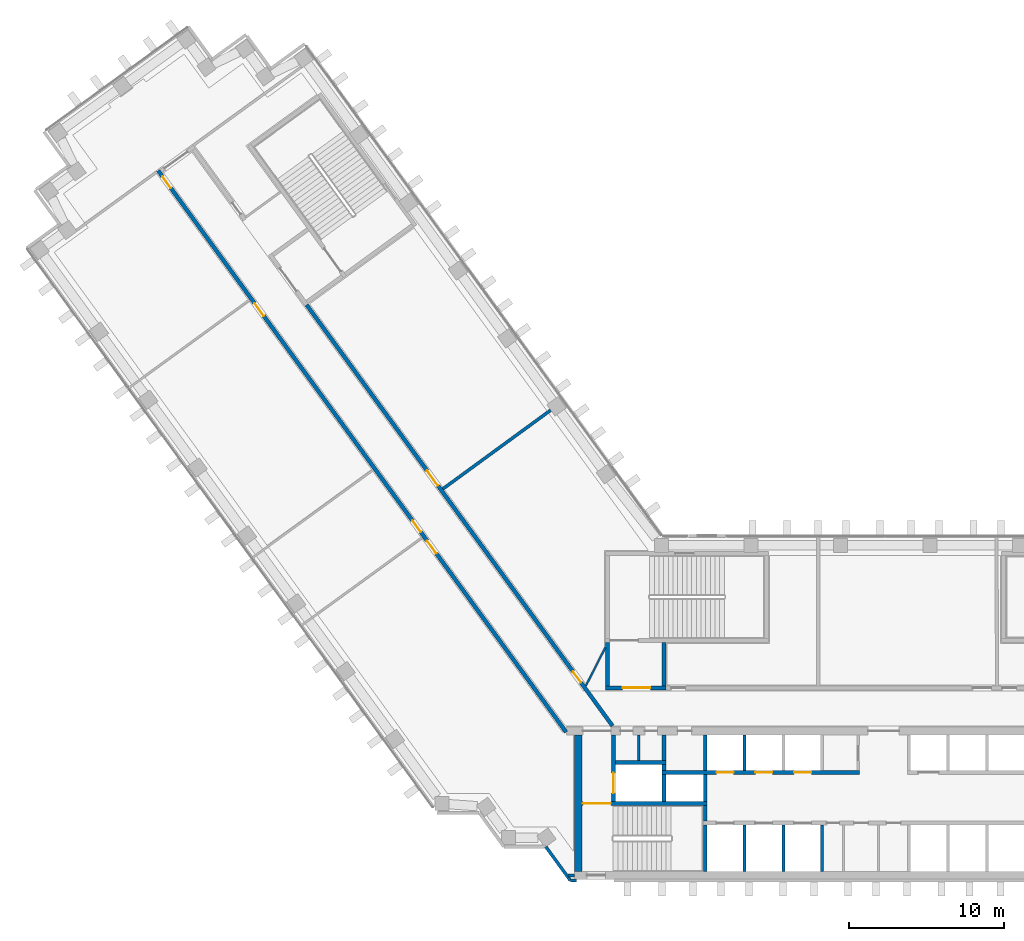
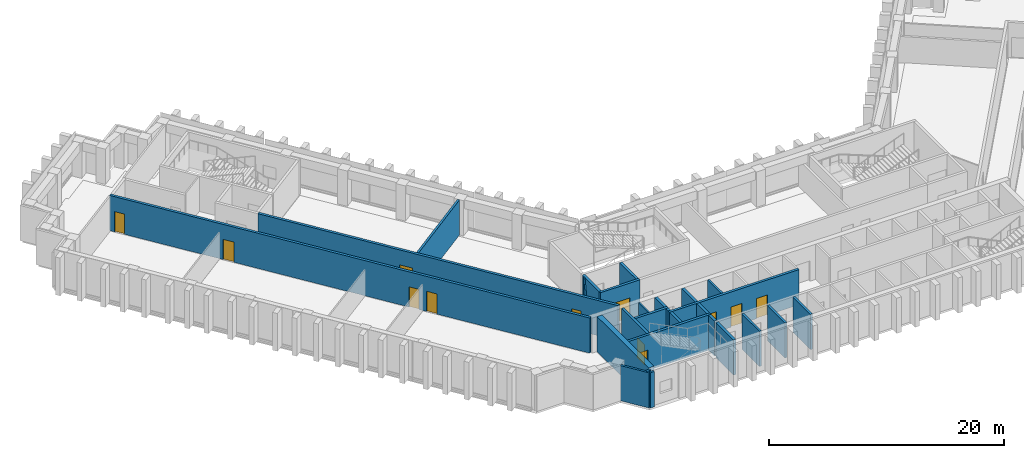
# One storey, part 7 of 15: 27 walls, 12 doors, 12 openings.
"""IFC4 building model written with IfcOpenShell, lengths in metres."""

from ifc_helpers import new_model, si_unit, direction, frame, frame_2d, origin, place, context, subcontext, project, spatial, rectangle, extrude, material, layer, layer_set, type_object, element, fill, save


model = new_model("IFC4")

# Units and contexts
model_context = context("Model", 3, precision=1e-05, world=origin(), true_north=direction((0.0, 1.0)))
body_context = subcontext(model_context, "Body", "Model", "MODEL_VIEW")
ifc_project = project(units=[si_unit("LENGTHUNIT", "METRE"), si_unit("AREAUNIT", "SQUARE_METRE"), si_unit("VOLUMEUNIT", "CUBIC_METRE"), si_unit("PLANEANGLEUNIT", "RADIAN"), si_unit("MASSUNIT", "GRAM", prefix="KILO")], contexts=[model_context])

# Site, building, storey
site_placement = place(None, origin())
site = spatial("IfcSite", under=ifc_project, at=site_placement, CompositionType="ELEMENT")
building_placement = place(site_placement, origin())
building = spatial("IfcBuilding", under=site, at=building_placement, Name="Quipu Civic Tower", CompositionType="ELEMENT")
storey_placement = place(building_placement, frame((0.0, 0.0, 97.0)))
storey = spatial("IfcBuildingStorey", under=building, at=storey_placement, Name="L22", CompositionType="ELEMENT", Elevation=97.0)

# Walls
ifc_material_1 = material(Name="Fired clay blockwork", Category="masonry")
ifc_layer_1 = layer(ifc_material_1, 0.199951171875)
ifc_layer_set_1 = layer_set([ifc_layer_1], Name="Fired clay blockwork")
wall_type_1 = type_object("IfcWallType", Name="Blockwork wall 200", PredefinedType="SOLIDWALL", material=ifc_layer_set_1)
wall_1_placement = place(storey_placement, frame((-28.468994140625, 14.1240234375, 0.0), z_axis=(0.0, 0.0, 1.0), x_axis=(0.807597163234, 0.589734535139, 0.0)))
element("IfcWall", 1, at=wall_1_placement, inside=storey, type_object=wall_type_1, Name="Partition P06", PredefinedType="SOLIDWALL", context=body_context, shape_type="SweptSolid", body=[
    extrude(rectangle(XDim=8.59521484375, YDim=0.199951171875, at=frame_2d((4.297607421875, 0.0))), origin(), (0.0, 0.0, 1.0), 3.64990234375),
])
ifc_material_2 = material(Name="Concrete C70/85", Category="concrete")
ifc_layer_2 = layer(ifc_material_2, 0.25)
ifc_layer_set_2 = layer_set([ifc_layer_2], Name="Concrete C70/85")
wall_type_2 = type_object("IfcWallType", Name="Core wall 250", PredefinedType="SHEAR", material=ifc_layer_set_2)
wall_2_placement = place(storey_placement, frame((-11.574951171875, -10.5, 0.0), z_axis=(0.0, 0.0, 1.0), x_axis=(0.0, 1.0, 0.0)))
element("IfcWall", 2, at=wall_2_placement, inside=storey, type_object=wall_type_2, Name="Core wall", PredefinedType="SHEAR", context=body_context, shape_type="SweptSolid", body=[
    extrude(rectangle(XDim=3.0, YDim=0.25, at=frame_2d((1.5, 0.0))), origin(), (0.0, 0.0, 1.0), 3.64990234375),
])
wall_3_placement = place(storey_placement, frame((-11.574951171875, -7.25, 0.0), z_axis=(0.0, 0.0, 1.0), x_axis=(0.0, 1.0, 0.0)))
element("IfcWall", 3, at=wall_3_placement, inside=storey, type_object=wall_type_2, Name="Core wall", PredefinedType="SHEAR", context=body_context, shape_type="SweptSolid", body=[
    extrude(rectangle(XDim=1.0, YDim=0.25, at=frame_2d((0.5, 0.0))), origin(), (0.0, 0.0, 1.0), 3.64990234375),
])

# Wall, opening, door
wall_4_placement = place(storey_placement, frame((-11.449951171875, -6.125, 0.0), z_axis=(0.0, 0.0, 1.0), x_axis=(-1.0, 0.0, 0.0)))
wall_4 = element("IfcWall", 4, at=wall_4_placement, inside=storey, type_object=wall_type_2, Name="Core wall", PredefinedType="SHEAR", context=body_context, shape_type="SweptSolid", body=[
    extrude(rectangle(XDim=8.050048828125, YDim=0.25, at=frame_2d((4.02490234375, 0.0))), origin(), (0.0, 0.0, 1.0), 3.64990234375),
])
opening_1_placement = place(wall_4_placement, frame((6.199951171875, 0.0, 0.0)))
opening_1 = element("IfcOpeningElement", 5, at=opening_1_placement, cuts=wall_4, Name="Opening CD-04", PredefinedType="OPENING", context=body_context, shape_type="SweptSolid", body=[
    extrude(rectangle(XDim=1.800048828125, YDim=2.10009765625, at=frame_2d((0.89990234375, 1.050048828125))), frame((0.0, 0.135009765625, 0.0), z_axis=(0.0, -1.0, 0.0), x_axis=(1.0, 0.0, 0.0)), (0.0, 0.0, 1.0), 0.27001953125),
])
ifc_material_3 = material(Name="Fire rated steel door", Category="steel")
door_type_1 = type_object("IfcDoorType", Name="Fire door FD90 double 1800 x 2100", OperationType="NOTDEFINED", PredefinedType="DOOR", material=ifc_material_3)
door_1_placement = place(opening_1_placement, origin())
door_1 = element("IfcDoor", 6, at=door_1_placement, inside=storey, type_object=door_type_1, Name="Door", OperationType="DOUBLE_DOOR_SINGLE_SWING", OverallHeight=2.10009765625, OverallWidth=1.800048828125, PredefinedType="DOOR", context=body_context, shape_type="SweptSolid", body=[
    extrude(rectangle(XDim=1.800048828125, YDim=2.10009765625, at=frame_2d((0.89990234375, 1.050048828125))), frame((0.0, 0.02490234375, 0.0), z_axis=(0.0, -1.0, 0.0), x_axis=(1.0, 0.0, 0.0)), (0.0, 0.0, 1.0), 0.050048828125),
])
fill(opening_1, door_1)

wall_5_placement = place(storey_placement, frame((-17.47509765625, -6.0, 0.0), z_axis=(0.0, 0.0, 1.0), x_axis=(0.0, 1.0, 0.0)))
wall_5 = element("IfcWall", 7, at=wall_5_placement, inside=storey, type_object=wall_type_2, Name="Core wall", PredefinedType="SHEAR", context=body_context, shape_type="SweptSolid", body=[
    extrude(rectangle(XDim=4.300048828125, YDim=0.25, at=frame_2d((2.14990234375, 0.0))), origin(), (0.0, 0.0, 1.0), 3.64990234375),
])
opening_2_placement = place(wall_5_placement, frame((0.550048828125, 0.0, 0.0)))
opening_2 = element("IfcOpeningElement", 8, at=opening_2_placement, cuts=wall_5, Name="Opening LD-FF1", PredefinedType="OPENING", context=body_context, shape_type="SweptSolid", body=[
    extrude(rectangle(XDim=1.300048828125, YDim=2.10009765625, at=frame_2d((0.64990234375, 1.050048828125))), frame((0.0, 0.135009765625, 0.0), z_axis=(0.0, -1.0, 0.0), x_axis=(1.0, 0.0, 0.0)), (0.0, 0.0, 1.0), 0.27001953125),
])
ifc_material_4 = material(Name="Stainless steel", Category="steel")
door_type_2 = type_object("IfcDoorType", Name="Lift landing door 1300 x 2100", OperationType="DOUBLE_DOOR_SLIDING", PredefinedType="DOOR", material=ifc_material_4)
door_2_placement = place(opening_2_placement, origin())
door_2 = element("IfcDoor", 9, at=door_2_placement, inside=storey, type_object=door_type_2, Name="Landing door FF1", OperationType="DOUBLE_DOOR_SLIDING", OverallHeight=2.10009765625, OverallWidth=1.300048828125, PredefinedType="DOOR", context=body_context, shape_type="SweptSolid", body=[
    extrude(rectangle(XDim=1.300048828125, YDim=2.10009765625, at=frame_2d((0.64990234375, 1.050048828125))), frame((0.0, 0.02490234375, 0.0), z_axis=(0.0, -1.0, 0.0), x_axis=(1.0, 0.0, 0.0)), (0.0, 0.0, 1.0), 0.050048828125),
])
fill(opening_2, door_2)

# Walls
for number, where, z_axis, x_axis, name in (
    (10, (-14.22509765625, -6.0, 0.0), (0.0, 0.0, 1.0), (0.0, 1.0, 0.0), "Core wall"),
    (11, (-11.574951171875, -6.0, 0.0), (0.0, 0.0, 1.0), (0.0, 1.0, 0.0), "Core wall"),
):
    element("IfcWall", number, at=place(storey_placement, frame(where, z_axis=z_axis, x_axis=x_axis)), inside=storey, type_object=wall_type_2, Name=name, PredefinedType="SHEAR", context=body_context, shape_type="SweptSolid", body=[
        extrude(rectangle(XDim=1.75, YDim=0.25, at=frame_2d((0.875, 0.0))), origin(), (0.0, 0.0, 1.0), 3.64990234375),
    ])

# Wall, openings, doors
wall_6_placement = place(storey_placement, frame((-14.35009765625, -4.125, 0.0), z_axis=(0.0, 0.0, 1.0), x_axis=(1.0, 0.0, 0.0)))
wall_6 = element("IfcWall", 12, at=wall_6_placement, inside=storey, type_object=wall_type_2, Name="Core wall", PredefinedType="SHEAR", context=body_context, shape_type="SweptSolid", body=[
    extrude(rectangle(XDim=12.7001953125, YDim=0.25, at=frame_2d((6.35009765625, 0.0))), origin(), (0.0, 0.0, 1.0), 3.64990234375),
])
opening_3_placement = place(wall_6_placement, frame((3.5, 0.0, 0.0)))
opening_3 = element("IfcOpeningElement", 13, at=opening_3_placement, cuts=wall_6, Name="Opening LD-LL4", PredefinedType="OPENING", context=body_context, shape_type="SweptSolid", body=[
    extrude(rectangle(XDim=1.10009765625, YDim=2.10009765625, at=frame_2d((0.550048828125, 1.050048828125))), frame((0.0, 0.135009765625, 0.0), z_axis=(0.0, -1.0, 0.0), x_axis=(1.0, 0.0, 0.0)), (0.0, 0.0, 1.0), 0.27001953125),
])
opening_4_placement = place(wall_6_placement, frame((6.0, 0.0, 0.0)))
opening_4 = element("IfcOpeningElement", 14, at=opening_4_placement, cuts=wall_6, Name="Opening LD-LL5", PredefinedType="OPENING", context=body_context, shape_type="SweptSolid", body=[
    extrude(rectangle(XDim=1.10009765625, YDim=2.10009765625, at=frame_2d((0.550048828125, 1.050048828125))), frame((0.0, 0.135009765625, 0.0), z_axis=(0.0, -1.0, 0.0), x_axis=(1.0, 0.0, 0.0)), (0.0, 0.0, 1.0), 0.27001953125),
])
opening_5_placement = place(wall_6_placement, frame((8.5, 0.0, 0.0)))
opening_5 = element("IfcOpeningElement", 15, at=opening_5_placement, cuts=wall_6, Name="Opening LD-LL6", PredefinedType="OPENING", context=body_context, shape_type="SweptSolid", body=[
    extrude(rectangle(XDim=1.10009765625, YDim=2.10009765625, at=frame_2d((0.550048828125, 1.050048828125))), frame((0.0, 0.135009765625, 0.0), z_axis=(0.0, -1.0, 0.0), x_axis=(1.0, 0.0, 0.0)), (0.0, 0.0, 1.0), 0.27001953125),
])
ifc_material_5 = material(Name="Stainless steel", Category="steel")
door_type_3 = type_object("IfcDoorType", Name="Lift landing door 1100 x 2100", OperationType="DOUBLE_DOOR_SLIDING", PredefinedType="DOOR", material=ifc_material_5)
door_3_placement = place(opening_3_placement, origin())
door_3 = element("IfcDoor", 16, at=door_3_placement, inside=storey, type_object=door_type_3, Name="Landing door LL4", OperationType="DOUBLE_DOOR_SLIDING", OverallHeight=2.10009765625, OverallWidth=1.10009765625, PredefinedType="DOOR", context=body_context, shape_type="SweptSolid", body=[
    extrude(rectangle(XDim=1.10009765625, YDim=2.10009765625, at=frame_2d((0.550048828125, 1.050048828125))), frame((0.0, 0.02490234375, 0.0), z_axis=(0.0, -1.0, 0.0), x_axis=(1.0, 0.0, 0.0)), (0.0, 0.0, 1.0), 0.050048828125),
])
fill(opening_3, door_3)
door_4_placement = place(opening_4_placement, origin())
door_4 = element("IfcDoor", 17, at=door_4_placement, inside=storey, type_object=door_type_3, Name="Landing door LL5", OperationType="DOUBLE_DOOR_SLIDING", OverallHeight=2.10009765625, OverallWidth=1.10009765625, PredefinedType="DOOR", context=body_context, shape_type="SweptSolid", body=[
    extrude(rectangle(XDim=1.10009765625, YDim=2.10009765625, at=frame_2d((0.550048828125, 1.050048828125))), frame((0.0, 0.02490234375, 0.0), z_axis=(0.0, -1.0, 0.0), x_axis=(1.0, 0.0, 0.0)), (0.0, 0.0, 1.0), 0.050048828125),
])
fill(opening_4, door_4)
door_5_placement = place(opening_5_placement, origin())
door_5 = element("IfcDoor", 18, at=door_5_placement, inside=storey, type_object=door_type_3, Name="Landing door LL6", OperationType="DOUBLE_DOOR_SLIDING", OverallHeight=2.10009765625, OverallWidth=1.10009765625, PredefinedType="DOOR", context=body_context, shape_type="SweptSolid", body=[
    extrude(rectangle(XDim=1.10009765625, YDim=2.10009765625, at=frame_2d((0.550048828125, 1.050048828125))), frame((0.0, 0.02490234375, 0.0), z_axis=(0.0, -1.0, 0.0), x_axis=(1.0, 0.0, 0.0)), (0.0, 0.0, 1.0), 0.050048828125),
])
fill(opening_5, door_5)

# Walls
wall_7_placement = place(storey_placement, frame((-14.22509765625, -4.0, 0.0), z_axis=(0.0, 0.0, 1.0), x_axis=(0.0, 1.0, 0.0)))
element("IfcWall", 19, at=wall_7_placement, inside=storey, type_object=wall_type_2, Name="Core wall", PredefinedType="SHEAR", context=body_context, shape_type="SweptSolid", body=[
    extrude(rectangle(XDim=0.39990234375, YDim=0.25, at=frame_2d((0.199951171875, 0.0))), origin(), (0.0, 0.0, 1.0), 3.64990234375),
])
wall_8_placement = place(storey_placement, frame((-11.574951171875, -4.0, 0.0), z_axis=(0.0, 0.0, 1.0), x_axis=(0.0, 1.0, 0.0)))
element("IfcWall", 20, at=wall_8_placement, inside=storey, type_object=wall_type_2, Name="Core wall", PredefinedType="SHEAR", context=body_context, shape_type="SweptSolid", body=[
    extrude(rectangle(XDim=2.300048828125, YDim=0.25, at=frame_2d((1.14990234375, 0.0))), origin(), (0.0, 0.0, 1.0), 3.64990234375),
])
wall_9_placement = place(storey_placement, frame((-17.35009765625, -3.47509765625, 0.0), z_axis=(0.0, 0.0, 1.0), x_axis=(1.0, 0.0, 0.0)))
element("IfcWall", 21, at=wall_9_placement, inside=storey, type_object=wall_type_2, Name="Core wall", PredefinedType="SHEAR", context=body_context, shape_type="SweptSolid", body=[
    extrude(rectangle(XDim=3.25, YDim=0.25, at=frame_2d((1.625, 0.0))), origin(), (0.0, 0.0, 1.0), 3.64990234375),
])
wall_10_placement = place(storey_placement, frame((-14.22509765625, -3.35009765625, 0.0), z_axis=(0.0, 0.0, 1.0), x_axis=(0.0, 1.0, 0.0)))
element("IfcWall", 22, at=wall_10_placement, inside=storey, type_object=wall_type_2, Name="Core wall", PredefinedType="SHEAR", context=body_context, shape_type="SweptSolid", body=[
    extrude(rectangle(XDim=1.650146484375, YDim=0.25, at=frame_2d((0.8251953125, 0.0))), origin(), (0.0, 0.0, 1.0), 3.64990234375),
])

# Wall, opening, door
wall_11_placement = place(storey_placement, frame((-18.0, 1.324951171875, 0.0), z_axis=(0.0, 0.0, 1.0), x_axis=(1.0, 0.0, 0.0)))
wall_11 = element("IfcWall", 23, at=wall_11_placement, inside=storey, type_object=wall_type_2, Name="Core wall", PredefinedType="SHEAR", context=body_context, shape_type="SweptSolid", body=[
    extrude(rectangle(XDim=3.89990234375, YDim=0.25, at=frame_2d((1.949951171875, 0.0))), origin(), (0.0, 0.0, 1.0), 3.64990234375),
])
opening_6_placement = place(wall_11_placement, frame((1.10009765625, 0.0, 0.0)))
opening_6 = element("IfcOpeningElement", 24, at=opening_6_placement, cuts=wall_11, Name="Opening CD-15", PredefinedType="OPENING", context=body_context, shape_type="SweptSolid", body=[
    extrude(rectangle(XDim=1.800048828125, YDim=2.10009765625, at=frame_2d((0.89990234375, 1.050048828125))), frame((0.0, 0.135009765625, 0.0), z_axis=(0.0, -1.0, 0.0), x_axis=(1.0, 0.0, 0.0)), (0.0, 0.0, 1.0), 0.27001953125),
])
door_6_placement = place(opening_6_placement, origin())
door_6 = element("IfcDoor", 25, at=door_6_placement, inside=storey, type_object=door_type_1, Name="Lobby door", OperationType="DOUBLE_DOOR_SINGLE_SWING", OverallHeight=2.10009765625, OverallWidth=1.800048828125, PredefinedType="DOOR", context=body_context, shape_type="SweptSolid", body=[
    extrude(rectangle(XDim=1.800048828125, YDim=2.10009765625, at=frame_2d((0.89990234375, 1.050048828125))), frame((0.0, 0.02490234375, 0.0), z_axis=(0.0, -1.0, 0.0), x_axis=(1.0, 0.0, 0.0)), (0.0, 0.0, 1.0), 0.050048828125),
])
fill(opening_6, door_6)

# Walls
for number, where, z_axis, x_axis, name in (
    (26, (-17.875, 1.449951171875, 0.0), (0.0, 0.0, 1.0), (0.0, 1.0, 0.0), "Core wall"),
    (27, (-14.22509765625, 1.449951171875, 0.0), (0.0, 0.0, 1.0), (0.0, 1.0, 0.0), "Core wall"),
):
    element("IfcWall", number, at=place(storey_placement, frame(where, z_axis=z_axis, x_axis=x_axis)), inside=storey, type_object=wall_type_2, Name=name, PredefinedType="SHEAR", context=body_context, shape_type="SweptSolid", body=[
        extrude(rectangle(XDim=2.800048828125, YDim=0.25, at=frame_2d((1.39990234375, 0.0))), origin(), (0.0, 0.0, 1.0), 3.64990234375),
    ])
ifc_material_6 = material(Name="Concrete C70/85", Category="concrete")
ifc_layer_3 = layer(ifc_material_6, 0.5)
ifc_layer_set_3 = layer_set([ifc_layer_3], Name="Concrete C70/85")
wall_type_3 = type_object("IfcWallType", Name="Core wall 500", PredefinedType="SHEAR", material=ifc_layer_set_3)
wall_12_placement = place(storey_placement, frame((-19.75, -10.5, 0.0), z_axis=(0.0, 0.0, 1.0), x_axis=(0.0, 1.0, 0.0)))
element("IfcWall", 28, at=wall_12_placement, inside=storey, type_object=wall_type_3, Name="Core wall", PredefinedType="SHEAR", context=body_context, shape_type="SweptSolid", body=[
    extrude(rectangle(XDim=8.800048828125, YDim=0.5, at=frame_2d((4.39990234375, 0.0))), origin(), (0.0, 0.0, 1.0), 3.64990234375),
])

# Wall, openings, doors
ifc_material_7 = material(Name="Concrete C50/60", Category="concrete")
ifc_layer_4 = layer(ifc_material_7, 0.25)
ifc_layer_set_4 = layer_set([ifc_layer_4], Name="Concrete C50/60")
wall_type_4 = type_object("IfcWallType", Name="Corridor wall 250 concrete", PredefinedType="SOLIDWALL", material=ifc_layer_set_4)
wall_13_placement = place(storey_placement, frame((-20.531005859375, -1.5234375, 0.0), z_axis=(0.0, 0.0, 1.0), x_axis=(-0.587784593204, 0.809017473231, 0.0)))
wall_13 = element("IfcWall", 29, at=wall_13_placement, inside=storey, type_object=wall_type_4, Name="Corridor wall C01", PredefinedType="SOLIDWALL", context=body_context, shape_type="SweptSolid", body=[
    extrude(rectangle(XDim=44.67041015625, YDim=0.25, at=frame_2d((22.335205078125, 0.0))), origin(), (0.0, 0.0, 1.0), 3.64990234375),
])
opening_7_placement = place(wall_13_placement, frame((43.295654296875, 0.0, 0.0)))
opening_7 = element("IfcOpeningElement", 30, at=opening_7_placement, cuts=wall_13, Name="Opening D012", PredefinedType="OPENING", context=body_context, shape_type="SweptSolid", body=[
    extrude(rectangle(XDim=0.89990234375, YDim=2.10009765625, at=frame_2d((0.449951171875, 1.050048828125))), frame((0.0, 0.135009765625, 0.0), z_axis=(0.0, -1.0, 0.0), x_axis=(1.0, 0.0, 0.0)), (0.0, 0.0, 1.0), 0.27001953125),
])
opening_8_placement = place(wall_13_placement, frame((15.915771484375, 0.0, 0.0)))
opening_8 = element("IfcOpeningElement", 31, at=opening_8_placement, cuts=wall_13, Name="Opening D014", PredefinedType="OPENING", context=body_context, shape_type="SweptSolid", body=[
    extrude(rectangle(XDim=0.89990234375, YDim=2.10009765625, at=frame_2d((0.449951171875, 1.050048828125))), frame((0.0, 0.135009765625, 0.0), z_axis=(0.0, -1.0, 0.0), x_axis=(1.0, 0.0, 0.0)), (0.0, 0.0, 1.0), 0.27001953125),
])
opening_9_placement = place(wall_13_placement, frame((33.115966796875, 0.0, 0.0)))
opening_9 = element("IfcOpeningElement", 32, at=opening_9_placement, cuts=wall_13, Name="Opening D013", PredefinedType="OPENING", context=body_context, shape_type="SweptSolid", body=[
    extrude(rectangle(XDim=1.0, YDim=2.10009765625, at=frame_2d((0.5, 1.050048828125))), frame((0.0, 0.135009765625, 0.0), z_axis=(0.0, -1.0, 0.0), x_axis=(1.0, 0.0, 0.0)), (0.0, 0.0, 1.0), 0.27001953125),
])
opening_10_placement = place(wall_13_placement, frame((14.215576171875, 0.0, 0.0)))
opening_10 = element("IfcOpeningElement", 33, at=opening_10_placement, cuts=wall_13, Name="Opening D015", PredefinedType="OPENING", context=body_context, shape_type="SweptSolid", body=[
    extrude(rectangle(XDim=1.0, YDim=2.10009765625, at=frame_2d((0.5, 1.050048828125))), frame((0.0, 0.135009765625, 0.0), z_axis=(0.0, -1.0, 0.0), x_axis=(1.0, 0.0, 0.0)), (0.0, 0.0, 1.0), 0.27001953125),
])
ifc_material_8 = material(Name="Fire rated timber door set with metal frame", Category="wood")
door_type_4 = type_object("IfcDoorType", Name="Single door 1000 x 2100 FD60", OperationType="NOTDEFINED", PredefinedType="DOOR", material=ifc_material_8)
door_7_placement = place(opening_9_placement, origin())
door_7 = element("IfcDoor", 34, at=door_7_placement, inside=storey, type_object=door_type_4, Name="Door D013", OperationType="SINGLE_SWING_RIGHT", OverallHeight=2.10009765625, OverallWidth=1.0, PredefinedType="DOOR", context=body_context, shape_type="SweptSolid", body=[
    extrude(rectangle(XDim=1.0, YDim=2.10009765625, at=frame_2d((0.5, 1.050048828125))), frame((0.0, 0.02490234375, 0.0), z_axis=(0.0, -1.0, 0.0), x_axis=(1.0, 0.0, 0.0)), (0.0, 0.0, 1.0), 0.050048828125),
])
fill(opening_9, door_7)
door_8_placement = place(opening_10_placement, origin())
door_8 = element("IfcDoor", 35, at=door_8_placement, inside=storey, type_object=door_type_4, Name="Door D015", OperationType="SINGLE_SWING_RIGHT", OverallHeight=2.10009765625, OverallWidth=1.0, PredefinedType="DOOR", context=body_context, shape_type="SweptSolid", body=[
    extrude(rectangle(XDim=1.0, YDim=2.10009765625, at=frame_2d((0.5, 1.050048828125))), frame((0.0, 0.02490234375, 0.0), z_axis=(0.0, -1.0, 0.0), x_axis=(1.0, 0.0, 0.0)), (0.0, 0.0, 1.0), 0.050048828125),
])
fill(opening_10, door_8)
ifc_material_9 = material(Name="Fire rated timber door set with metal frame", Category="wood")
door_type_5 = type_object("IfcDoorType", Name="Single door 900 x 2100 FD60", OperationType="NOTDEFINED", PredefinedType="DOOR", material=ifc_material_9)
door_9_placement = place(opening_7_placement, origin())
door_9 = element("IfcDoor", 36, at=door_9_placement, inside=storey, type_object=door_type_5, Name="Door D012", OperationType="SINGLE_SWING_RIGHT", OverallHeight=2.10009765625, OverallWidth=0.89990234375, PredefinedType="DOOR", context=body_context, shape_type="SweptSolid", body=[
    extrude(rectangle(XDim=0.89990234375, YDim=2.10009765625, at=frame_2d((0.449951171875, 1.050048828125))), frame((0.0, 0.02490234375, 0.0), z_axis=(0.0, -1.0, 0.0), x_axis=(1.0, 0.0, 0.0)), (0.0, 0.0, 1.0), 0.050048828125),
])
fill(opening_7, door_9)
door_10_placement = place(opening_8_placement, origin())
door_10 = element("IfcDoor", 37, at=door_10_placement, inside=storey, type_object=door_type_5, Name="Door D014", OperationType="SINGLE_SWING_LEFT", OverallHeight=2.10009765625, OverallWidth=0.89990234375, PredefinedType="DOOR", context=body_context, shape_type="SweptSolid", body=[
    extrude(rectangle(XDim=0.89990234375, YDim=2.10009765625, at=frame_2d((0.449951171875, 1.050048828125))), frame((0.0, 0.02490234375, 0.0), z_axis=(0.0, -1.0, 0.0), x_axis=(1.0, 0.0, 0.0)), (0.0, 0.0, 1.0), 0.050048828125),
])
fill(opening_8, door_10)

wall_14_placement = place(storey_placement, frame((-37.231689453125, 25.9716796875, 0.0), z_axis=(0.0, 0.0, 1.0), x_axis=(0.587786323093, -0.809016216391, 0.0)))
wall_14 = element("IfcWall", 38, at=wall_14_placement, inside=storey, type_object=wall_type_4, Name="Corridor wall C04", PredefinedType="SOLIDWALL", context=body_context, shape_type="SweptSolid", body=[
    extrude(rectangle(XDim=33.4931640625, YDim=0.25, at=frame_2d((16.74658203125, 0.0))), origin(), (0.0, 0.0, 1.0), 3.64990234375),
])
opening_11_placement = place(wall_14_placement, frame((13.184814453125, 0.0, 0.0)))
opening_11 = element("IfcOpeningElement", 39, at=opening_11_placement, cuts=wall_14, Name="Opening D010", PredefinedType="OPENING", context=body_context, shape_type="SweptSolid", body=[
    extrude(rectangle(XDim=1.199951171875, YDim=2.10009765625, at=frame_2d((0.60009765625, 1.050048828125))), frame((0.0, 0.135009765625, 0.0), z_axis=(0.0, -1.0, 0.0), x_axis=(1.0, 0.0, 0.0)), (0.0, 0.0, 1.0), 0.27001953125),
])
opening_12_placement = place(wall_14_placement, frame((29.151611328125, 0.0, 0.0)))
opening_12 = element("IfcOpeningElement", 40, at=opening_12_placement, cuts=wall_14, Name="Opening D011", PredefinedType="OPENING", context=body_context, shape_type="SweptSolid", body=[
    extrude(rectangle(XDim=0.89990234375, YDim=2.10009765625, at=frame_2d((0.449951171875, 1.050048828125))), frame((0.0, 0.135009765625, 0.0), z_axis=(0.0, -1.0, 0.0), x_axis=(1.0, 0.0, 0.0)), (0.0, 0.0, 1.0), 0.27001953125),
])
ifc_material_10 = material(Name="Fire rated timber door set with metal frame", Category="wood")
door_type_6 = type_object("IfcDoorType", Name="Single door 1200 x 2100 FD60", OperationType="NOTDEFINED", PredefinedType="DOOR", material=ifc_material_10)
door_11_placement = place(opening_11_placement, origin())
door_11 = element("IfcDoor", 41, at=door_11_placement, inside=storey, type_object=door_type_6, Name="Door D010", OperationType="SINGLE_SWING_RIGHT", OverallHeight=2.10009765625, OverallWidth=1.199951171875, PredefinedType="DOOR", context=body_context, shape_type="SweptSolid", body=[
    extrude(rectangle(XDim=1.199951171875, YDim=2.10009765625, at=frame_2d((0.60009765625, 1.050048828125))), frame((0.0, 0.02490234375, 0.0), z_axis=(0.0, -1.0, 0.0), x_axis=(1.0, 0.0, 0.0)), (0.0, 0.0, 1.0), 0.050048828125),
])
fill(opening_11, door_11)
door_12_placement = place(opening_12_placement, origin())
door_12 = element("IfcDoor", 42, at=door_12_placement, inside=storey, type_object=door_type_5, Name="Door D011", OperationType="SINGLE_SWING_RIGHT", OverallHeight=2.10009765625, OverallWidth=0.89990234375, PredefinedType="DOOR", context=body_context, shape_type="SweptSolid", body=[
    extrude(rectangle(XDim=0.89990234375, YDim=2.10009765625, at=frame_2d((0.449951171875, 1.050048828125))), frame((0.0, 0.02490234375, 0.0), z_axis=(0.0, -1.0, 0.0), x_axis=(1.0, 0.0, 0.0)), (0.0, 0.0, 1.0), 0.050048828125),
])
fill(opening_12, door_12)

# Walls
ifc_material_11 = material(Name="Gypsum plasterboard on light gauge framing")
ifc_layer_5 = layer(ifc_material_11, 0.1201171875)
ifc_layer_set_5 = layer_set([ifc_layer_5], Name="Gypsum plasterboard on light gauge framing")
wall_type_5 = type_object("IfcWallType", Name="Partition 120 plasterboard", PredefinedType="PARTITIONING", material=ifc_layer_set_5)
wall_15_placement = place(storey_placement, frame((-19.260986328125, 1.449951171875, 0.0), z_axis=(0.0, 0.0, 1.0), x_axis=(0.453950796792, 0.891026752736, 0.0)))
element("IfcWall", 43, at=wall_15_placement, inside=storey, type_object=wall_type_5, Name="Partition P15", PredefinedType="PARTITIONING", context=body_context, shape_type="SweptSolid", body=[
    extrude(rectangle(XDim=2.77783203125, YDim=0.1201171875, at=frame_2d((1.388916015625, 0.0))), origin(), (0.0, 0.0, 1.0), 3.64990234375),
])
ifc_material_12 = material(Name="Gypsum board partition")
ifc_layer_6 = layer(ifc_material_12, 0.14990234375)
ifc_layer_set_6 = layer_set([ifc_layer_6], Name="Gypsum board partition")
wall_type_6 = type_object("IfcWallType", Name="Partition 150", PredefinedType="PARTITIONING", material=ifc_layer_set_6)
wall_16_placement = place(storey_placement, frame((-15.85009765625, -3.35009765625, 0.0), z_axis=(0.0, 0.0, 1.0), x_axis=(0.0, 1.0, 0.0)))
element("IfcWall", 44, at=wall_16_placement, inside=storey, type_object=wall_type_6, Name="Partition", PredefinedType="PARTITIONING", context=body_context, shape_type="SweptSolid", body=[
    extrude(rectangle(XDim=1.650146484375, YDim=0.14990234375, at=frame_2d((0.8251953125, 0.0))), origin(), (0.0, 0.0, 1.0), 3.64990234375),
])
ifc_material_13 = material(Name="Precast concrete C40/50", Category="concrete")
wall_type_7 = type_object("IfcWallType", Name="Precast cladding wall", PredefinedType="SOLIDWALL", material=ifc_material_13)
wall_17_placement = place(storey_placement, frame((-21.8330078125, -8.90869140625, 0.0), z_axis=(0.0, 0.0, 1.0), x_axis=(0.587766567315, -0.809030569476, 0.0)))
element("IfcWall", 45, at=wall_17_placement, inside=storey, type_object=wall_type_7, Name="Precast cladding wall L22 24", PredefinedType="SOLIDWALL", context=body_context, shape_type="SweptSolid", body=[
    extrude(rectangle(XDim=2.687744140625, YDim=0.199951171875, at=frame_2d((1.34375, 0.0))), origin(), (0.0, 0.0, 1.0), 3.64990234375),
])
wall_18_placement = place(storey_placement, frame((-20.255859375, -11.087890625, 0.0), z_axis=(0.0, 0.0, 1.0), x_axis=(1.0, 0.0, 0.0)))
element("IfcWall", 46, at=wall_18_placement, inside=storey, type_object=wall_type_7, Name="Precast cladding wall L22 25", PredefinedType="SOLIDWALL", context=body_context, shape_type="SweptSolid", body=[
    extrude(rectangle(XDim=0.40576171875, YDim=0.199951171875, at=frame_2d((0.202880859375, 0.0))), origin(), (0.0, 0.0, 1.0), 3.64990234375),
])
wall_19_placement = place(storey_placement, frame((-19.97998046875, -10.75, 0.0), z_axis=(0.0, 0.0, 1.0), x_axis=(-1.0, 0.0, 0.0)))
element("IfcWall", 47, at=wall_19_placement, inside=storey, type_object=wall_type_7, Name="Precast cladding return L22 W", PredefinedType="SOLIDWALL", context=body_context, shape_type="SweptSolid", body=[
    extrude(rectangle(XDim=0.41650390625, YDim=0.199951171875, at=frame_2d((0.208251953125, 0.0))), origin(), (0.0, 0.0, 1.0), 3.64990234375),
])
ifc_material_14 = material(Name="Concrete C40/50", Category="concrete")
ifc_layer_7 = layer(ifc_material_14, 0.199951171875)
ifc_layer_set_7 = layer_set([ifc_layer_7], Name="Concrete C40/50")
wall_type_8 = type_object("IfcWallType", Name="Shaft wall 200", PredefinedType="SOLIDWALL", material=ifc_layer_set_7)
for number, where, z_axis, x_axis, name in (
    (48, (-9.050048828125, -10.5, 0.0), (0.0, 0.0, 1.0), (0.0, 1.0, 0.0), "Shaft wall"),
    (49, (-6.550048828125, -10.5, 0.0), (0.0, 0.0, 1.0), (0.0, 1.0, 0.0), "Shaft wall"),
    (50, (-4.050048828125, -10.5, 0.0), (0.0, 0.0, 1.0), (0.0, 1.0, 0.0), "Shaft wall"),
):
    element("IfcWall", number, at=place(storey_placement, frame(where, z_axis=z_axis, x_axis=x_axis)), inside=storey, type_object=wall_type_8, Name=name, PredefinedType="SOLIDWALL", context=body_context, shape_type="SweptSolid", body=[
        extrude(rectangle(XDim=3.0, YDim=0.199951171875, at=frame_2d((1.5, 0.0))), origin(), (0.0, 0.0, 1.0), 3.64990234375),
    ])
wall_20_placement = place(storey_placement, frame((-9.050048828125, -4.0, 0.0), z_axis=(0.0, 0.0, 1.0), x_axis=(0.0, 1.0, 0.0)))
element("IfcWall", 51, at=wall_20_placement, inside=storey, type_object=wall_type_8, Name="Shaft wall", PredefinedType="SOLIDWALL", context=body_context, shape_type="SweptSolid", body=[
    extrude(rectangle(XDim=2.300048828125, YDim=0.199951171875, at=frame_2d((1.14990234375, 0.0))), origin(), (0.0, 0.0, 1.0), 3.64990234375),
])

save(model, "model.ifc")
